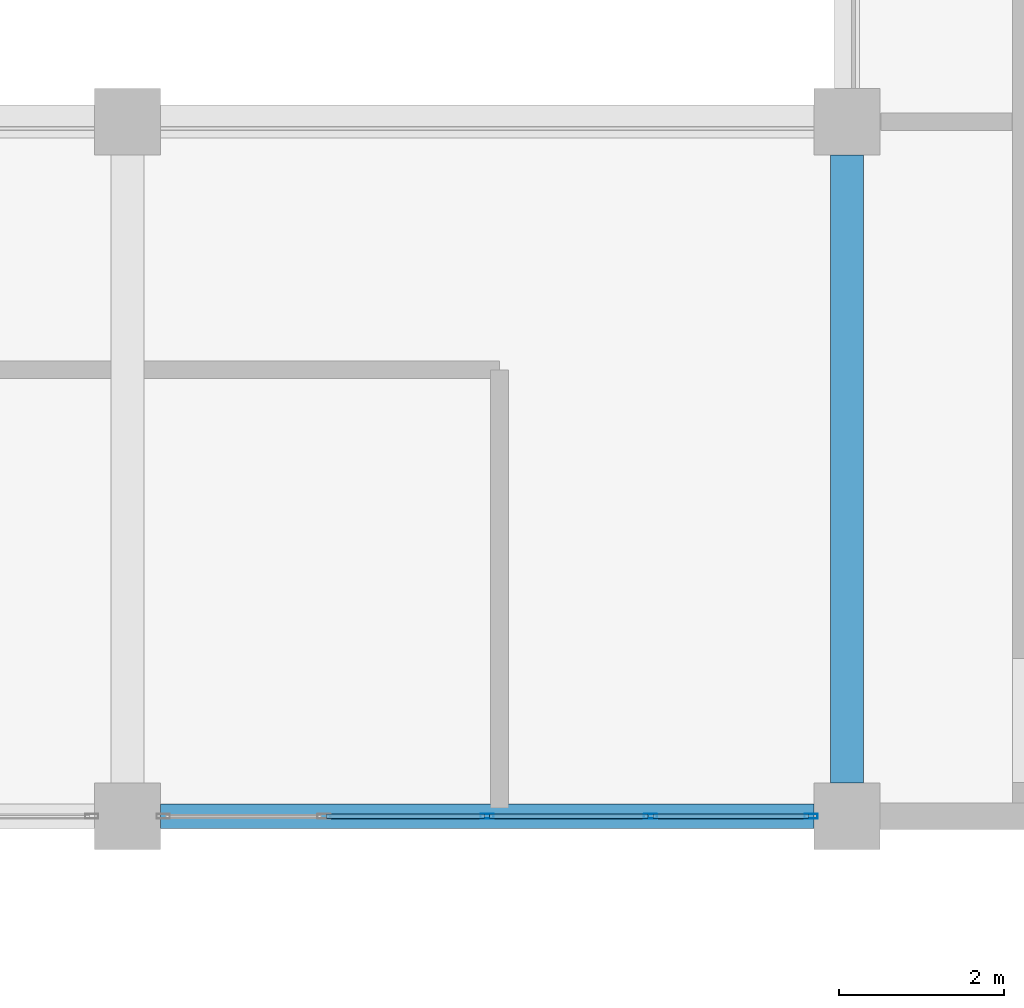
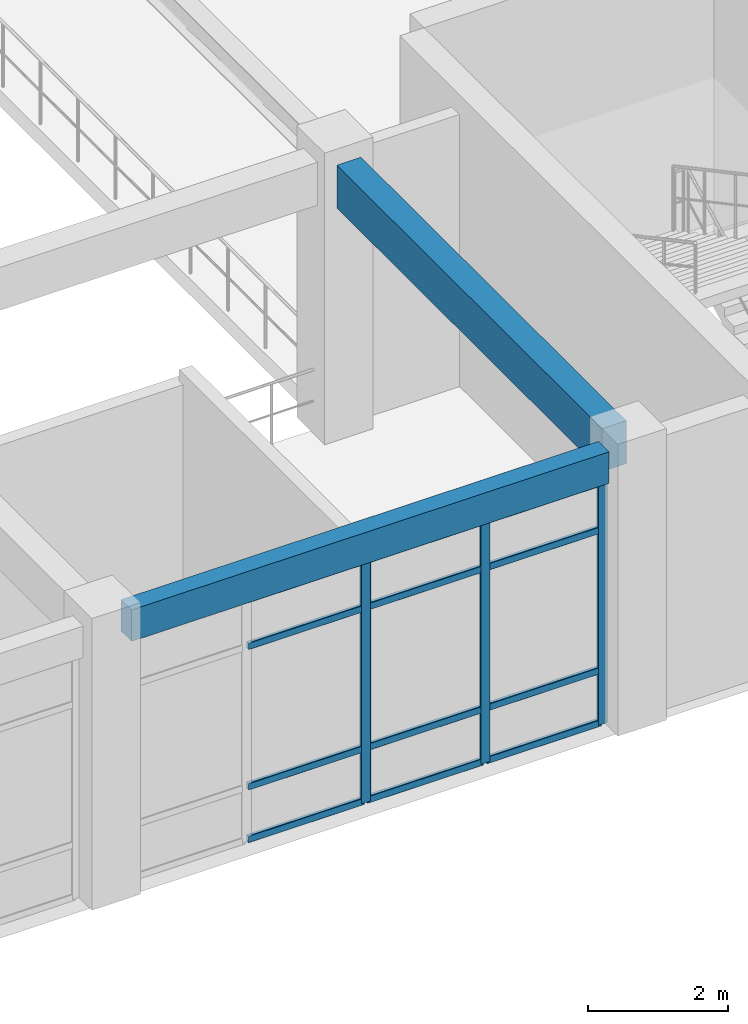
# One storey, part 36 of 124: 15 members, 2 beams, 1 element without a shape of its own.
"""IFC4 building model written with IfcOpenShell, lengths in metres."""

from ifc_helpers import new_model, si_unit, derived_unit, direction, frame, origin, origin_2d, place, context, subcontext, project, spatial, rectangle, hollow_rectangle, extrude, material, layer, layer_set, material_profile, profile_set, type_object, element, aggregate, save


model = new_model("IFC4")

# Units and contexts
model_context = context("Model", 3, precision=1e-05, world=origin(), true_north=direction((0.0, 1.0)))
body_context = subcontext(model_context, "Body", "Model", "MODEL_VIEW")
ifc_project = project(units=[si_unit("LENGTHUNIT", "METRE"), si_unit("AREAUNIT", "SQUARE_METRE"), si_unit("VOLUMEUNIT", "CUBIC_METRE"), si_unit("PLANEANGLEUNIT", "RADIAN"), si_unit("MASSUNIT", "GRAM", prefix="KILO"), derived_unit("THERMALTRANSMITTANCEUNIT", [(si_unit("MASSUNIT", "GRAM", prefix="KILO"), 1), (si_unit("TIMEUNIT", "SECOND"), -3), (si_unit("THERMODYNAMICTEMPERATUREUNIT", "KELVIN"), -1)])], contexts=[model_context])

# Site, building, storey
site_placement = place(None, origin())
site = spatial("IfcSite", under=ifc_project, at=site_placement, CompositionType="ELEMENT")
building_placement = place(site_placement, origin())
building = spatial("IfcBuilding", under=site, at=building_placement, Name="Qinzheling Arcade Emporium", CompositionType="ELEMENT")
storey_placement = place(building_placement, frame((0.0, 0.0, 16.5)))
storey = spatial("IfcBuildingStorey", under=building, at=storey_placement, Name="L04", CompositionType="ELEMENT", Elevation=16.5)

# Curtain wall, members
ifc_material_1 = material(Name="Anodised aluminium and solar-control double glazing", Category="aluminium")
ifc_layer = layer(ifc_material_1, 0.159912109375, Name="Anodised aluminium and solar-control double glazing", Category="aluminium")
ifc_layer_set = layer_set([ifc_layer], Name="Anodised aluminium and solar-control double glazing")
curtain_wall_type = type_object("IfcCurtainWallType", Name="Atrium Clerestory Curtain Wall", PredefinedType="NOTDEFINED", material=ifc_layer_set)
curtain_wall_placement = place(storey_placement, origin())
curtain_wall = element("IfcCurtainWall", 1, at=curtain_wall_placement, inside=storey, type_object=curtain_wall_type, Name="Curtain Wall CW-L04-255", PredefinedType="NOTDEFINED")
ifc_material_2 = material(Name="Anodised aluminium 6063-T6", Category="aluminium")
ifc_material_profile_1 = material_profile(ifc_material_2, hollow_rectangle(XDim=0.06005859375, YDim=0.159912109375, WallThickness=0.00390625, InnerFilletRadius=0.00390625, OuterFilletRadius=0.008056640625, at=origin_2d()), Name="RHS 160x60x4", Category="aluminium")
ifc_profile_set_1 = profile_set([ifc_material_profile_1], Name="Anodised aluminium 6063-T6")
member_type_1 = type_object("IfcMemberType", Name="Curtain Wall Mullion RHS160x60", PredefinedType="MULLION", material=ifc_profile_set_1)
member_1_placement = place(storey_placement, frame((86.568115234375, 42.0, 0.0), z_axis=(0.0, 0.0, 1.0), x_axis=(0.0, -1.0, 0.0)))
member_1 = element("IfcMember", 2, at=member_1_placement, type_object=member_type_1, Name="CW03 mullion 1", PredefinedType="MULLION", context=body_context, shape_type="SweptSolid", body=[
    extrude(hollow_rectangle(XDim=0.06005859375, YDim=0.159912109375, WallThickness=0.00390625, InnerFilletRadius=0.00390625, OuterFilletRadius=0.008056640625, at=origin_2d()), origin(), (0.0, 0.0, 1.0), 4.2548828125),
])
member_2_placement = place(storey_placement, frame((84.6240234375, 42.0, 0.0), z_axis=(0.0, 0.0, 1.0), x_axis=(0.0, -1.0, 0.0)))
member_2 = element("IfcMember", 3, at=member_2_placement, type_object=member_type_1, Name="CW03 mullion 2", PredefinedType="MULLION", context=body_context, shape_type="SweptSolid", body=[
    extrude(hollow_rectangle(XDim=0.06005859375, YDim=0.159912109375, WallThickness=0.00390625, InnerFilletRadius=0.00390625, OuterFilletRadius=0.008056640625, at=origin_2d()), origin(), (0.0, 0.0, 1.0), 4.2548828125),
])
member_3_placement = place(storey_placement, frame((82.64990234375, 42.0, 0.0), z_axis=(0.0, 0.0, 1.0), x_axis=(0.0, -1.0, 0.0)))
member_3 = element("IfcMember", 4, at=member_3_placement, type_object=member_type_1, Name="CW03 mullion 3", PredefinedType="MULLION", context=body_context, shape_type="SweptSolid", body=[
    extrude(hollow_rectangle(XDim=0.06005859375, YDim=0.159912109375, WallThickness=0.00390625, InnerFilletRadius=0.00390625, OuterFilletRadius=0.008056640625, at=origin_2d()), origin(), (0.0, 0.0, 1.0), 4.2548828125),
])
ifc_material_profile_2 = material_profile(ifc_material_2, hollow_rectangle(XDim=0.06005859375, YDim=0.1201171875, WallThickness=0.00390625, InnerFilletRadius=0.00390625, OuterFilletRadius=0.008056640625, at=origin_2d()), Name="RHS 120x60x4", Category="aluminium")
ifc_profile_set_2 = profile_set([ifc_material_profile_2], Name="Anodised aluminium 6063-T6")
member_type_2 = type_object("IfcMemberType", Name="Curtain Wall Transom RHS120x60", PredefinedType="USERDEFINED", material=ifc_profile_set_2)
member_4_placement = place(storey_placement, frame((86.5380859375, 42.0, 0.030029296875), z_axis=(-1.0, 0.0, 0.0), x_axis=(0.0, -1.0, 0.0)))
member_4 = element("IfcMember", 5, at=member_4_placement, type_object=member_type_2, Name="CW03 transom 1.1", ObjectType="TRANSOM", PredefinedType="USERDEFINED", context=body_context, shape_type="SweptSolid", body=[
    extrude(hollow_rectangle(XDim=0.06005859375, YDim=0.1201171875, WallThickness=0.00390625, InnerFilletRadius=0.00390625, OuterFilletRadius=0.008056640625, at=origin_2d()), origin(), (0.0, 0.0, 1.0), 1.884033203125),
])
member_5_placement = place(storey_placement, frame((86.5380859375, 42.0, 0.949951171875), z_axis=(-1.0, 0.0, 0.0), x_axis=(0.0, -1.0, 0.0)))
member_5 = element("IfcMember", 6, at=member_5_placement, type_object=member_type_2, Name="CW03 transom 1.2", ObjectType="TRANSOM", PredefinedType="USERDEFINED", context=body_context, shape_type="SweptSolid", body=[
    extrude(hollow_rectangle(XDim=0.06005859375, YDim=0.1201171875, WallThickness=0.00390625, InnerFilletRadius=0.00390625, OuterFilletRadius=0.008056640625, at=origin_2d()), origin(), (0.0, 0.0, 1.0), 1.884033203125),
])
member_6_placement = place(storey_placement, frame((86.5380859375, 42.0, 3.405029296875), z_axis=(-1.0, 0.0, 0.0), x_axis=(0.0, -1.0, 0.0)))
member_6 = element("IfcMember", 7, at=member_6_placement, type_object=member_type_2, Name="CW03 transom 1.3", ObjectType="TRANSOM", PredefinedType="USERDEFINED", context=body_context, shape_type="SweptSolid", body=[
    extrude(hollow_rectangle(XDim=0.06005859375, YDim=0.1201171875, WallThickness=0.00390625, InnerFilletRadius=0.00390625, OuterFilletRadius=0.008056640625, at=origin_2d()), origin(), (0.0, 0.0, 1.0), 1.884033203125),
])
member_7_placement = place(storey_placement, frame((86.5380859375, 42.0, 4.22509765625), z_axis=(-1.0, 0.0, 0.0), x_axis=(0.0, -1.0, 0.0)))
member_7 = element("IfcMember", 8, at=member_7_placement, type_object=member_type_2, Name="CW03 transom 1.4", ObjectType="TRANSOM", PredefinedType="USERDEFINED", context=body_context, shape_type="SweptSolid", body=[
    extrude(hollow_rectangle(XDim=0.06005859375, YDim=0.1201171875, WallThickness=0.00390625, InnerFilletRadius=0.00390625, OuterFilletRadius=0.008056640625, at=origin_2d()), origin(), (0.0, 0.0, 1.0), 1.884033203125),
])
member_8_placement = place(storey_placement, frame((84.593994140625, 42.0, 0.030029296875), z_axis=(-1.0, 0.0, 0.0), x_axis=(0.0, -1.0, 0.0)))
member_8 = element("IfcMember", 9, at=member_8_placement, type_object=member_type_2, Name="CW03 transom 2.1", ObjectType="TRANSOM", PredefinedType="USERDEFINED", context=body_context, shape_type="SweptSolid", body=[
    extrude(hollow_rectangle(XDim=0.06005859375, YDim=0.1201171875, WallThickness=0.00390625, InnerFilletRadius=0.00390625, OuterFilletRadius=0.008056640625, at=origin_2d()), origin(), (0.0, 0.0, 1.0), 1.9140625),
])
member_9_placement = place(storey_placement, frame((84.593994140625, 42.0, 0.949951171875), z_axis=(-1.0, 0.0, 0.0), x_axis=(0.0, -1.0, 0.0)))
member_9 = element("IfcMember", 10, at=member_9_placement, type_object=member_type_2, Name="CW03 transom 2.2", ObjectType="TRANSOM", PredefinedType="USERDEFINED", context=body_context, shape_type="SweptSolid", body=[
    extrude(hollow_rectangle(XDim=0.06005859375, YDim=0.1201171875, WallThickness=0.00390625, InnerFilletRadius=0.00390625, OuterFilletRadius=0.008056640625, at=origin_2d()), origin(), (0.0, 0.0, 1.0), 1.9140625),
])
member_10_placement = place(storey_placement, frame((84.593994140625, 42.0, 3.405029296875), z_axis=(-1.0, 0.0, 0.0), x_axis=(0.0, -1.0, 0.0)))
member_10 = element("IfcMember", 11, at=member_10_placement, type_object=member_type_2, Name="CW03 transom 2.3", ObjectType="TRANSOM", PredefinedType="USERDEFINED", context=body_context, shape_type="SweptSolid", body=[
    extrude(hollow_rectangle(XDim=0.06005859375, YDim=0.1201171875, WallThickness=0.00390625, InnerFilletRadius=0.00390625, OuterFilletRadius=0.008056640625, at=origin_2d()), origin(), (0.0, 0.0, 1.0), 1.9140625),
])
member_11_placement = place(storey_placement, frame((84.593994140625, 42.0, 4.22509765625), z_axis=(-1.0, 0.0, 0.0), x_axis=(0.0, -1.0, 0.0)))
member_11 = element("IfcMember", 12, at=member_11_placement, type_object=member_type_2, Name="CW03 transom 2.4", ObjectType="TRANSOM", PredefinedType="USERDEFINED", context=body_context, shape_type="SweptSolid", body=[
    extrude(hollow_rectangle(XDim=0.06005859375, YDim=0.1201171875, WallThickness=0.00390625, InnerFilletRadius=0.00390625, OuterFilletRadius=0.008056640625, at=origin_2d()), origin(), (0.0, 0.0, 1.0), 1.9140625),
])
member_12_placement = place(storey_placement, frame((82.6201171875, 42.0, 0.030029296875), z_axis=(-1.0, 0.0, 0.0), x_axis=(0.0, -1.0, 0.0)))
member_12 = element("IfcMember", 13, at=member_12_placement, type_object=member_type_2, Name="CW03 transom 3.1", ObjectType="TRANSOM", PredefinedType="USERDEFINED", context=body_context, shape_type="SweptSolid", body=[
    extrude(hollow_rectangle(XDim=0.06005859375, YDim=0.1201171875, WallThickness=0.00390625, InnerFilletRadius=0.00390625, OuterFilletRadius=0.008056640625, at=origin_2d()), origin(), (0.0, 0.0, 1.0), 1.9140625),
])
member_13_placement = place(storey_placement, frame((82.6201171875, 42.0, 0.949951171875), z_axis=(-1.0, 0.0, 0.0), x_axis=(0.0, -1.0, 0.0)))
member_13 = element("IfcMember", 14, at=member_13_placement, type_object=member_type_2, Name="CW03 transom 3.2", ObjectType="TRANSOM", PredefinedType="USERDEFINED", context=body_context, shape_type="SweptSolid", body=[
    extrude(hollow_rectangle(XDim=0.06005859375, YDim=0.1201171875, WallThickness=0.00390625, InnerFilletRadius=0.00390625, OuterFilletRadius=0.008056640625, at=origin_2d()), origin(), (0.0, 0.0, 1.0), 1.9140625),
])
member_14_placement = place(storey_placement, frame((82.6201171875, 42.0, 3.405029296875), z_axis=(-1.0, 0.0, 0.0), x_axis=(0.0, -1.0, 0.0)))
member_14 = element("IfcMember", 15, at=member_14_placement, type_object=member_type_2, Name="CW03 transom 3.3", ObjectType="TRANSOM", PredefinedType="USERDEFINED", context=body_context, shape_type="SweptSolid", body=[
    extrude(hollow_rectangle(XDim=0.06005859375, YDim=0.1201171875, WallThickness=0.00390625, InnerFilletRadius=0.00390625, OuterFilletRadius=0.008056640625, at=origin_2d()), origin(), (0.0, 0.0, 1.0), 1.9140625),
])
member_15_placement = place(storey_placement, frame((82.6201171875, 42.0, 4.22509765625), z_axis=(-1.0, 0.0, 0.0), x_axis=(0.0, -1.0, 0.0)))
member_15 = element("IfcMember", 16, at=member_15_placement, type_object=member_type_2, Name="CW03 transom 3.4", ObjectType="TRANSOM", PredefinedType="USERDEFINED", context=body_context, shape_type="SweptSolid", body=[
    extrude(hollow_rectangle(XDim=0.06005859375, YDim=0.1201171875, WallThickness=0.00390625, InnerFilletRadius=0.00390625, OuterFilletRadius=0.008056640625, at=origin_2d()), origin(), (0.0, 0.0, 1.0), 1.9140625),
])
aggregate(curtain_wall, [member_1, member_2, member_3, member_4, member_5, member_6, member_7, member_8, member_9, member_10, member_11, member_12, member_13, member_14, member_15])

# Beams
ifc_material_3 = material(Name="Concrete C40", Category="concrete")
ifc_material_profile_3 = material_profile(ifc_material_3, rectangle(XDim=0.39990234375, YDim=0.75, at=origin_2d()), Name="RC 400x750", Category="concrete")
ifc_profile_set_3 = profile_set([ifc_material_profile_3], Name="Concrete C40")
beam_type_1 = type_object("IfcBeamType", Name="RC Interior Tie Beam 400x750 C40", PredefinedType="BEAM", material=ifc_profile_set_3)
beam_1_placement = place(storey_placement, frame((87.0, 42.39990234375, 4.445068359375), z_axis=(0.0, 1.0, 0.0), x_axis=(-1.0, 0.0, 0.0)))
element("IfcBeam", 17, at=beam_1_placement, inside=storey, type_object=beam_type_1, Name="Beam BM-L04-Y-11-F", PredefinedType="BEAM", context=body_context, shape_type="SweptSolid", body=[
    extrude(rectangle(XDim=0.39990234375, YDim=0.75, at=origin_2d()), origin(), (0.0, 0.0, 1.0), 7.60009765625),
])
ifc_material_profile_4 = material_profile(ifc_material_3, rectangle(XDim=0.300048828125, YDim=0.550048828125, at=origin_2d()), Name="RC 300x550", Category="concrete")
ifc_profile_set_4 = profile_set([ifc_material_profile_4], Name="Concrete C40")
beam_type_2 = type_object("IfcBeamType", Name="RC Terrace Spandrel Beam 300x550 C40", PredefinedType="SPANDREL", material=ifc_profile_set_4)
beam_2_placement = place(storey_placement, frame((78.699951171875, 42.0, 4.544921875), z_axis=(1.0, 0.0, 0.0), x_axis=(0.0, 1.0, 0.0)))
element("IfcBeam", 18, at=beam_2_placement, inside=storey, type_object=beam_type_2, Name="Beam BM-L04-X-F-10", PredefinedType="SPANDREL", context=body_context, shape_type="SweptSolid", body=[
    extrude(rectangle(XDim=0.300048828125, YDim=0.550048828125, at=origin_2d()), origin(), (0.0, 0.0, 1.0), 7.900146484375),
])

save(model, "model.ifc")
